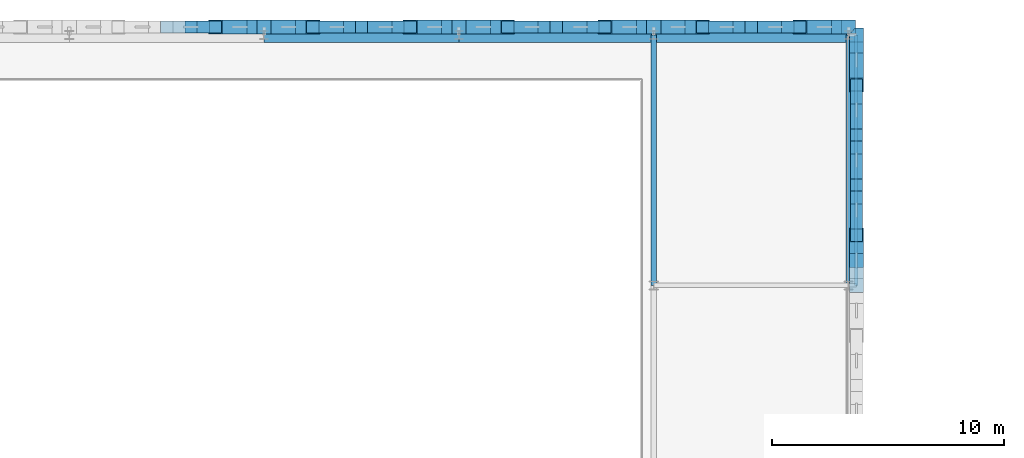
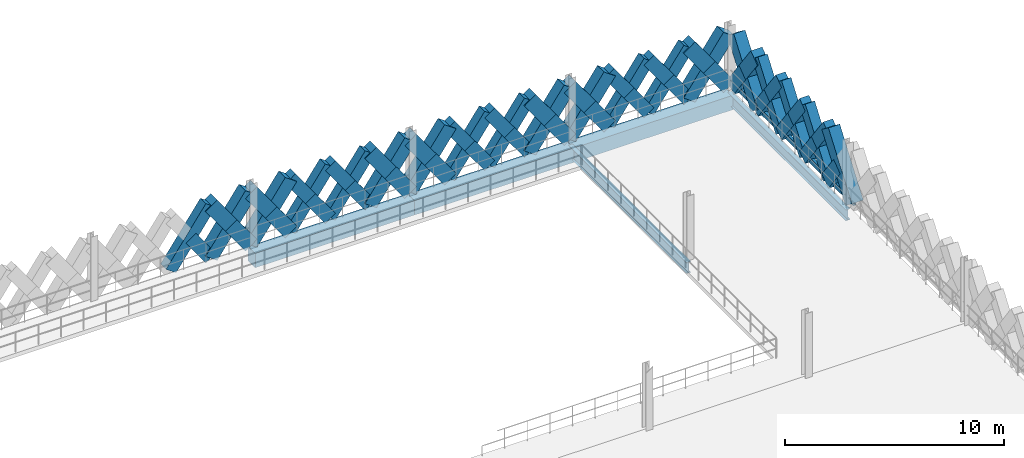
# One storey, part 31 of 74: 56 members, 5 beams.
"""IFC4 building model written with IfcOpenShell, lengths in metres."""

import ifcopenshell
import ifcopenshell.guid

model = None  # the IFC model being written
_history = None  # IfcOwnerHistory: only IFC2X3 demands one
_inside = {}  # id of a spatial element -> (the spatial element, [elements in it])
_under = {}  # id of a project, library or spatial element -> (it, [spatial elements below it])
_declared = {}  # id of a project -> (the project, [libraries it declares])
_typed = {}  # id of a type object -> (the type object, [elements of that type])
_made_of = {}  # id of a material, layer set ... -> (it, [elements and type objects made of it])


def new_model(schema):
    """Start an empty IFC model of exactly this schema.

    Asked for "IFC4X3", IfcOpenShell would pick the latest addendum, in which some entities
    have other attributes; the version numbers below select the first issue.
    IFC2X3 requires an IfcOwnerHistory on every rooted entity: one is made here for all.
    """
    global model, _history
    if schema == "IFC4X3":
        model = ifcopenshell.file(schema_version=(4, 3, 0, 0))
    else:
        model = ifcopenshell.file(schema=schema)
    _inside.clear()
    _under.clear()
    _declared.clear()
    _typed.clear()
    _made_of.clear()
    _history = None
    if model.schema == "IFC2X3":
        org = make("IfcOrganization", Name="unknown")
        user = make(
            "IfcPersonAndOrganization",
            ThePerson=make("IfcPerson", FamilyName="unknown"),
            TheOrganization=org,
        )
        app = make(
            "IfcApplication",
            ApplicationDeveloper=org,
            Version="unknown",
            ApplicationFullName="unknown",
            ApplicationIdentifier="unknown",
        )
        _history = make(
            "IfcOwnerHistory",
            OwningUser=user,
            OwningApplication=app,
            ChangeAction="ADDED",
            CreationDate=0,
        )
    return model


def make(cls, **values):
    """One entity of the class cls with the attributes given. An attribute that is None is left unset."""
    return model.create_entity(
        cls, **{name: value for name, value in values.items() if value is not None}
    )


def rooted(cls, **values):
    """An entity with a GlobalId (a new one), such as an element, a storey or a relation."""
    return make(cls, GlobalId=ifcopenshell.guid.new(), OwnerHistory=_history, **values)


def si_unit(unit_type, name, prefix=None):
    """IfcSIUnit, for example si_unit("LENGTHUNIT", "METRE", prefix="MILLI")."""
    return make("IfcSIUnit", UnitType=unit_type, Prefix=prefix, Name=name)


def assignment(units):
    """IfcUnitAssignment: the units of a project."""
    return None if units is None else make("IfcUnitAssignment", Units=units)


def point(xyz):
    """IfcCartesianPoint."""
    return None if xyz is None else make("IfcCartesianPoint", Coordinates=xyz)


def direction(xyz):
    """IfcDirection."""
    return None if xyz is None else make("IfcDirection", DirectionRatios=xyz)


def frame(location, z_axis=None, x_axis=None):
    """IfcAxis2Placement3D, a coordinate frame: its origin and axes. An axis left out is left unset."""
    return make(
        "IfcAxis2Placement3D",
        Location=point(location),
        Axis=direction(z_axis),
        RefDirection=direction(x_axis),
    )


def frame_2d(location, x_axis=None):
    """IfcAxis2Placement2D, a coordinate frame in the plane: its origin and x axis."""
    return make(
        "IfcAxis2Placement2D", Location=point(location), RefDirection=direction(x_axis)
    )


def origin():
    """The frame at (0, 0, 0) with its axes left unset."""
    return frame((0.0, 0.0, 0.0))


def origin_2d():
    """The frame at (0, 0) in the plane with its x axis left unset."""
    return frame_2d((0.0, 0.0))


def place(relative_to, where):
    """IfcLocalPlacement: puts the frame where relative to a parent placement (None: the world)."""
    return make(
        "IfcLocalPlacement", PlacementRelTo=relative_to, RelativePlacement=where
    )


def context(
    kind, dimensions, precision=None, world=None, true_north=None, identifier=None
):
    """IfcGeometricRepresentationContext, for example the 3D "Model" context."""
    return make(
        "IfcGeometricRepresentationContext",
        ContextIdentifier=identifier,
        ContextType=kind,
        CoordinateSpaceDimension=dimensions,
        Precision=precision,
        WorldCoordinateSystem=world,
        TrueNorth=true_north,
    )


def subcontext(parent, identifier, kind, view, scale=None):
    """IfcGeometricRepresentationSubContext, for example "Body" below "Model"."""
    return make(
        "IfcGeometricRepresentationSubContext",
        ContextIdentifier=identifier,
        ContextType=kind,
        ParentContext=parent,
        TargetScale=scale,
        TargetView=view,
    )


def project(units=None, contexts=None):
    """IfcProject with its units and contexts."""
    return rooted(
        "IfcProject",
        Name="project",
        RepresentationContexts=contexts,
        UnitsInContext=assignment(units),
    )


def spatial(cls, under=None, at=None, **own):
    """A site, building, storey or space (cls), placed at a placement, below another one or the project."""
    s = rooted(cls, ObjectPlacement=at, **own)
    if under is not None:
        _under.setdefault(under.id(), (under, []))[1].append(s)
    return s


def profile(cls, at=None, kind="AREA", **sizes):
    """A parametric profile (cls). Its sizes go by their IFC names, for example OverallWidth=200.0."""
    return make(cls, ProfileType=kind, Position=at, **sizes)


def rectangle(**sizes):
    """IfcRectangleProfileDef."""
    return profile("IfcRectangleProfileDef", **sizes)


def hollow_rectangle(**sizes):
    """IfcRectangleHollowProfileDef."""
    return profile("IfcRectangleHollowProfileDef", **sizes)


def i_section(**sizes):
    """IfcIShapeProfileDef."""
    return profile("IfcIShapeProfileDef", **sizes)


def extrude(swept, where, along, depth):
    """IfcExtrudedAreaSolid: the profile swept, set in the frame where, extruded along a direction by depth."""
    return make(
        "IfcExtrudedAreaSolid",
        SweptArea=swept,
        Position=where,
        ExtrudedDirection=direction(along),
        Depth=depth,
    )


def shape(context_of_items, identifier, shape_type, items):
    """IfcShapeRepresentation: the items that make up one representation, for example the "Body"."""
    return make(
        "IfcShapeRepresentation",
        ContextOfItems=context_of_items,
        RepresentationIdentifier=identifier,
        RepresentationType=shape_type,
        Items=items,
    )


def material(Name=None, Category=None):
    """IfcMaterial."""
    return make("IfcMaterial", Name=Name, Category=Category)


def material_profile(
    of_material, cross_section, Name=None, Category=None, Priority=None
):
    """IfcMaterialProfile: a cross section and its material."""
    return make(
        "IfcMaterialProfile",
        Name=Name,
        Material=of_material,
        Profile=cross_section,
        Priority=Priority,
        Category=Category,
    )


def profile_set(profiles, Name=None, composite=None):
    """IfcMaterialProfileSet."""
    return make(
        "IfcMaterialProfileSet",
        Name=Name,
        MaterialProfiles=profiles,
        CompositeProfile=composite,
    )


def made_of(thing, what):
    """Note that an element or type object is made of a material, layer set ...; save() writes the relation."""
    if what is not None:
        _made_of.setdefault(what.id(), (what, []))[1].append(thing)
    return thing


def type_object(cls, material=None, **own):
    """A type object (cls), such as IfcWallType, which elements share."""
    return made_of(rooted(cls, **own), material)


def element(
    cls,
    number,
    at=None,
    inside=None,
    cuts=None,
    type_object=None,
    material=None,
    context=None,
    identifier="Body",
    shape_type=None,
    held_by="IfcProductDefinitionShape",
    body=None,
    shapes=None,
    **own,
):
    """One element of the class cls, such as IfcWall. Its Tag is "e" and its number.

    at: its placement. inside: the storey or other place that contains it. cuts: it is an
    opening in that element (IfcRelVoidsElement). A single representation is given by context,
    identifier, shape_type and body (its items); several are given by shapes. held_by: the class
    of the entity that holds the representations. save() writes the other relations.
    """
    e = rooted(cls, Tag="e%d" % number, ObjectPlacement=at, **own)
    if body is not None:
        shapes = [shape(context, identifier, shape_type, body)]
    if shapes is not None:
        e.Representation = make(held_by, Representations=shapes)
    if inside is not None:
        _inside.setdefault(inside.id(), (inside, []))[1].append(e)
    if cuts is not None:
        rooted(
            "IfcRelVoidsElement", RelatingBuildingElement=cuts, RelatedOpeningElement=e
        )
    if type_object is not None:
        _typed.setdefault(type_object.id(), (type_object, []))[1].append(e)
    return made_of(e, material)


def aggregate(whole, parts):
    """IfcRelAggregates: a whole, such as a stair, and the parts it consists of."""
    return rooted("IfcRelAggregates", RelatingObject=whole, RelatedObjects=parts)


def save(model, path):
    """Write the relations noted so far, then the file.

    IfcRelAggregates (storeys below a building ...), IfcRelContainedInSpatialStructure (elements
    in a storey), IfcRelDefinesByType, IfcRelAssociatesMaterial and IfcRelDeclares: one each for
    every whole, place, type object, material and project.
    """
    for whole, parts in _under.values():
        aggregate(whole, parts)
    for where, things in _inside.values():
        rooted(
            "IfcRelContainedInSpatialStructure",
            RelatedElements=things,
            RelatingStructure=where,
        )
    for kind, things in _typed.values():
        rooted("IfcRelDefinesByType", RelatedObjects=things, RelatingType=kind)
    for what, things in _made_of.values():
        rooted("IfcRelAssociatesMaterial", RelatedObjects=things, RelatingMaterial=what)
    for by, libraries in _declared.values():
        rooted("IfcRelDeclares", RelatingContext=by, RelatedDefinitions=libraries)
    model.write(path)


model = new_model("IFC4")

# Units and contexts
model_context = context("Model", 3, precision=1e-05, world=origin(), true_north=direction((0.0, 1.0)))
body_context = subcontext(model_context, "Body", "Model", "MODEL_VIEW")
ifc_project = project(units=[si_unit("LENGTHUNIT", "METRE"), si_unit("AREAUNIT", "SQUARE_METRE"), si_unit("VOLUMEUNIT", "CUBIC_METRE"), si_unit("PLANEANGLEUNIT", "RADIAN"), si_unit("MASSUNIT", "GRAM", prefix="KILO"), si_unit("THERMODYNAMICTEMPERATUREUNIT", "KELVIN"), si_unit("POWERUNIT", "WATT")], contexts=[model_context])

# Site, building, storey
site_placement = place(None, origin())
site = spatial("IfcSite", under=ifc_project, at=site_placement, CompositionType="ELEMENT")
building_placement = place(site_placement, origin())
building = spatial("IfcBuilding", under=site, at=building_placement, Name="Tembeka Court Mobility Hub", CompositionType="ELEMENT")
storey_placement = place(building_placement, frame((0.0, 0.0, 12.60009765625)))
storey = spatial("IfcBuildingStorey", under=building, at=storey_placement, Name="L03", CompositionType="ELEMENT", Elevation=12.60009765625)

# Beams
ifc_material_1 = material(Name="Steel S355", Category="steel")
ifc_material_profile_1 = material_profile(ifc_material_1, i_section(OverallWidth=0.22900390625, OverallDepth=0.612060546875, WebThickness=0.011962890625, FlangeThickness=0.01953125, FilletRadius=0.0126953125, at=origin_2d()), Name="UKB 610x229x125")
ifc_profile_set_1 = profile_set([ifc_material_profile_1], Name="Steel S355")
beam_type_1 = type_object("IfcBeamType", Name="BM-G02", PredefinedType="USERDEFINED", material=ifc_profile_set_1)
for number, where, z_axis, x_axis, name in (
    (1, (84.0, 108.0, -0.526123046875), (0.0, 1.0, 0.0), (-1.0, 0.0, 0.0), "Beam G02 (BM-L03-Y1909)"),
    (2, (92.39990234375, 108.0, -0.526123046875), (0.0, 1.0, 0.0), (-1.0, 0.0, 0.0), "Beam G02 (BM-L03-Y1920)"),
):
    element("IfcBeam", number, at=place(storey_placement, frame(where, z_axis=z_axis, x_axis=x_axis)), inside=storey, type_object=beam_type_1, Name=name, ObjectType="GIRDER", PredefinedType="USERDEFINED", context=body_context, shape_type="SweptSolid", body=[
        extrude(i_section(OverallWidth=0.22900390625, OverallDepth=0.612060546875, WebThickness=0.011962890625, FlangeThickness=0.01953125, FilletRadius=0.0126953125, at=origin_2d()), origin(), (0.0, 0.0, 1.0), 10.800048828125),
    ])
ifc_material_2 = material(Name="Precast concrete C45/55", Category="concrete")
ifc_material_profile_2 = material_profile(ifc_material_2, rectangle(XDim=0.64990234375, YDim=0.800048828125, at=origin_2d()), Name="PC-SP 650x800")
ifc_profile_set_2 = profile_set([ifc_material_profile_2], Name="Precast concrete C45/55")
beam_type_2 = type_object("IfcBeamType", Name="BM-SP01", PredefinedType="SPANDREL", material=ifc_profile_set_2)
beam_placement = place(storey_placement, frame((67.199951171875, 118.800048828125, -0.6201171875), z_axis=(1.0, 0.0, 0.0), x_axis=(0.0, 1.0, 0.0)))
element("IfcBeam", 3, at=beam_placement, inside=storey, type_object=beam_type_2, Name="Beam SP01 (BM-L03-X1813)", PredefinedType="SPANDREL", context=body_context, shape_type="SweptSolid", body=[
    extrude(rectangle(XDim=0.64990234375, YDim=0.800048828125, at=origin_2d()), origin(), (0.0, 0.0, 1.0), 8.400146484375),
])
for number, where, z_axis, x_axis, name in (
    (4, (75.60009765625, 118.800048828125, -0.6201171875), (1.0, 0.0, 0.0), (0.0, 1.0, 0.0), "Beam SP01 (BM-L03-X1814)"),
    (5, (84.0, 118.800048828125, -0.6201171875), (1.0, 0.0, 0.0), (0.0, 1.0, 0.0), "Beam SP01 (BM-L03-X1815)"),
):
    element("IfcBeam", number, at=place(storey_placement, frame(where, z_axis=z_axis, x_axis=x_axis)), inside=storey, type_object=beam_type_2, Name=name, PredefinedType="SPANDREL", context=body_context, shape_type="SweptSolid", body=[
        extrude(rectangle(XDim=0.64990234375, YDim=0.800048828125, at=origin_2d()), origin(), (0.0, 0.0, 1.0), 8.39990234375),
    ])

# Members
ifc_material_profile_3 = material_profile(ifc_material_2, rectangle(XDim=0.5, YDim=0.64990234375, at=origin_2d()), Name="PC-DIAG 500x650")
ifc_profile_set_3 = profile_set([ifc_material_profile_3], Name="Precast concrete C45/55")
member_type_1 = type_object("IfcMemberType", Name="MEM-DL01", PredefinedType="BRACE", material=ifc_profile_set_3)
member_1_placement = place(storey_placement, frame((63.0, 119.139892578125, 0.02001953125), z_axis=(0.582576362011, 0.0, 0.812775973086), x_axis=(0.0, 1.0, 0.0)))
element("IfcMember", 6, at=member_1_placement, inside=storey, type_object=member_type_1, Name="Precast diamond lattice continuous strand DL01 (L03-463A)", PredefinedType="BRACE", context=body_context, shape_type="SweptSolid", body=[
    extrude(rectangle(XDim=0.5, YDim=0.64990234375, at=origin_2d()), origin(), (0.0, 0.0, 1.0), 3.604736328125),
])
member_2_placement = place(storey_placement, frame((65.10009765625, 119.139892578125, 0.02001953125), z_axis=(-0.582608431711, 0.0, 0.812752985414), x_axis=(0.0, -1.0, 0.0)))
element("IfcMember", 7, at=member_2_placement, inside=storey, type_object=member_type_1, Name="Precast diamond lattice split lower strand DL01 (L03-463B1)", PredefinedType="BRACE", context=body_context, shape_type="SweptSolid", body=[
    extrude(rectangle(XDim=0.5, YDim=0.64990234375, at=origin_2d()), origin(), (0.0, 0.0, 1.0), 1.80224609375),
])
member_3_placement = place(storey_placement, frame((69.300048828125, 119.139892578125, 0.02001953125), z_axis=(0.58253161945, 0.0, 0.812808041509), x_axis=(0.0, 1.0, 0.0)))
element("IfcMember", 8, at=member_3_placement, inside=storey, type_object=member_type_1, Name="Precast diamond lattice continuous strand DL01 (L03-466A)", PredefinedType="BRACE", context=body_context, shape_type="SweptSolid", body=[
    extrude(rectangle(XDim=0.5, YDim=0.64990234375, at=origin_2d()), origin(), (0.0, 0.0, 1.0), 3.604736328125),
])
member_4_placement = place(storey_placement, frame((71.39990234375, 119.139892578125, 0.02001953125), z_axis=(-0.582518941428, 0.0, 0.812817127574), x_axis=(0.0, -1.0, 0.0)))
element("IfcMember", 9, at=member_4_placement, inside=storey, type_object=member_type_1, Name="Precast diamond lattice split lower strand DL01 (L03-466B1)", PredefinedType="BRACE", context=body_context, shape_type="SweptSolid", body=[
    extrude(rectangle(XDim=0.5, YDim=0.64990234375, at=origin_2d()), origin(), (0.0, 0.0, 1.0), 1.80224609375),
])
member_5_placement = place(storey_placement, frame((70.35009765625, 119.139892578125, 1.48486328125), z_axis=(-0.582544294934, 0.0, 0.812798956963), x_axis=(0.0, -1.0, 0.0)))
element("IfcMember", 10, at=member_5_placement, inside=storey, type_object=member_type_1, Name="Precast diamond lattice split upper strand DL01 (L03-466B2)", PredefinedType="BRACE", context=body_context, shape_type="SweptSolid", body=[
    extrude(rectangle(XDim=0.5, YDim=0.64990234375, at=origin_2d()), origin(), (0.0, 0.0, 1.0), 1.802490234375),
])
member_6_placement = place(storey_placement, frame((71.39990234375, 119.139892578125, 0.02001953125), z_axis=(0.582576362011, 0.0, 0.812775973086), x_axis=(0.0, 1.0, 0.0)))
element("IfcMember", 11, at=member_6_placement, inside=storey, type_object=member_type_1, Name="Precast diamond lattice continuous strand DL01 (L03-467A)", PredefinedType="BRACE", context=body_context, shape_type="SweptSolid", body=[
    extrude(rectangle(XDim=0.5, YDim=0.64990234375, at=origin_2d()), origin(), (0.0, 0.0, 1.0), 3.604736328125),
])
member_7_placement = place(storey_placement, frame((73.5, 119.139892578125, 0.02001953125), z_axis=(-0.582608431711, 0.0, 0.812752985414), x_axis=(0.0, -1.0, 0.0)))
element("IfcMember", 12, at=member_7_placement, inside=storey, type_object=member_type_1, Name="Precast diamond lattice split lower strand DL01 (L03-467B1)", PredefinedType="BRACE", context=body_context, shape_type="SweptSolid", body=[
    extrude(rectangle(XDim=0.5, YDim=0.64990234375, at=origin_2d()), origin(), (0.0, 0.0, 1.0), 1.80224609375),
])
member_8_placement = place(storey_placement, frame((72.449951171875, 119.139892578125, 1.48486328125), z_axis=(-0.582544294934, 0.0, 0.812798956963), x_axis=(0.0, -1.0, 0.0)))
element("IfcMember", 13, at=member_8_placement, inside=storey, type_object=member_type_1, Name="Precast diamond lattice split upper strand DL01 (L03-467B2)", PredefinedType="BRACE", context=body_context, shape_type="SweptSolid", body=[
    extrude(rectangle(XDim=0.5, YDim=0.64990234375, at=origin_2d()), origin(), (0.0, 0.0, 1.0), 1.802490234375),
])
member_9_placement = place(storey_placement, frame((77.699951171875, 119.139892578125, 0.02001953125), z_axis=(0.582576362011, 0.0, 0.812775973086), x_axis=(0.0, 1.0, 0.0)))
element("IfcMember", 14, at=member_9_placement, inside=storey, type_object=member_type_1, Name="Precast diamond lattice continuous strand DL01 (L03-470A)", PredefinedType="BRACE", context=body_context, shape_type="SweptSolid", body=[
    extrude(rectangle(XDim=0.5, YDim=0.64990234375, at=origin_2d()), origin(), (0.0, 0.0, 1.0), 3.604736328125),
])
member_10_placement = place(storey_placement, frame((79.800048828125, 119.139892578125, 0.02001953125), z_axis=(-0.582608431711, 0.0, 0.812752985414), x_axis=(0.0, -1.0, 0.0)))
element("IfcMember", 15, at=member_10_placement, inside=storey, type_object=member_type_1, Name="Precast diamond lattice split lower strand DL01 (L03-470B1)", PredefinedType="BRACE", context=body_context, shape_type="SweptSolid", body=[
    extrude(rectangle(XDim=0.5, YDim=0.64990234375, at=origin_2d()), origin(), (0.0, 0.0, 1.0), 1.80224609375),
])
member_11_placement = place(storey_placement, frame((78.75, 119.139892578125, 1.48486328125), z_axis=(-0.582544294934, 0.0, 0.812798956963), x_axis=(0.0, -1.0, 0.0)))
element("IfcMember", 16, at=member_11_placement, inside=storey, type_object=member_type_1, Name="Precast diamond lattice split upper strand DL01 (L03-470B2)", PredefinedType="BRACE", context=body_context, shape_type="SweptSolid", body=[
    extrude(rectangle(XDim=0.5, YDim=0.64990234375, at=origin_2d()), origin(), (0.0, 0.0, 1.0), 1.802490234375),
])
member_12_placement = place(storey_placement, frame((79.800048828125, 119.139892578125, 0.02001953125), z_axis=(0.58253161945, 0.0, 0.812808041509), x_axis=(0.0, 1.0, 0.0)))
element("IfcMember", 17, at=member_12_placement, inside=storey, type_object=member_type_1, Name="Precast diamond lattice continuous strand DL01 (L03-471A)", PredefinedType="BRACE", context=body_context, shape_type="SweptSolid", body=[
    extrude(rectangle(XDim=0.5, YDim=0.64990234375, at=origin_2d()), origin(), (0.0, 0.0, 1.0), 3.604736328125),
])
member_13_placement = place(storey_placement, frame((81.89990234375, 119.139892578125, 0.02001953125), z_axis=(-0.582518941428, 0.0, 0.812817127574), x_axis=(0.0, -1.0, 0.0)))
element("IfcMember", 18, at=member_13_placement, inside=storey, type_object=member_type_1, Name="Precast diamond lattice split lower strand DL01 (L03-471B1)", PredefinedType="BRACE", context=body_context, shape_type="SweptSolid", body=[
    extrude(rectangle(XDim=0.5, YDim=0.64990234375, at=origin_2d()), origin(), (0.0, 0.0, 1.0), 1.80224609375),
])
member_14_placement = place(storey_placement, frame((80.85009765625, 119.139892578125, 1.48486328125), z_axis=(-0.582544294934, 0.0, 0.812798956963), x_axis=(0.0, -1.0, 0.0)))
element("IfcMember", 19, at=member_14_placement, inside=storey, type_object=member_type_1, Name="Precast diamond lattice split upper strand DL01 (L03-471B2)", PredefinedType="BRACE", context=body_context, shape_type="SweptSolid", body=[
    extrude(rectangle(XDim=0.5, YDim=0.64990234375, at=origin_2d()), origin(), (0.0, 0.0, 1.0), 1.802490234375),
])
member_15_placement = place(storey_placement, frame((86.10009765625, 119.139892578125, 0.02001953125), z_axis=(0.58253161945, 0.0, 0.812808041509), x_axis=(0.0, 1.0, 0.0)))
element("IfcMember", 20, at=member_15_placement, inside=storey, type_object=member_type_1, Name="Precast diamond lattice continuous strand DL01 (L03-474A)", PredefinedType="BRACE", context=body_context, shape_type="SweptSolid", body=[
    extrude(rectangle(XDim=0.5, YDim=0.64990234375, at=origin_2d()), origin(), (0.0, 0.0, 1.0), 3.604736328125),
])
member_16_placement = place(storey_placement, frame((88.199951171875, 119.139892578125, 0.02001953125), z_axis=(-0.582608431711, 0.0, 0.812752985414), x_axis=(0.0, -1.0, 0.0)))
element("IfcMember", 21, at=member_16_placement, inside=storey, type_object=member_type_1, Name="Precast diamond lattice split lower strand DL01 (L03-474B1)", PredefinedType="BRACE", context=body_context, shape_type="SweptSolid", body=[
    extrude(rectangle(XDim=0.5, YDim=0.64990234375, at=origin_2d()), origin(), (0.0, 0.0, 1.0), 1.80224609375),
])
member_17_placement = place(storey_placement, frame((87.14990234375, 119.139892578125, 1.48486328125), z_axis=(-0.582454804382, 0.0, 0.812863088627), x_axis=(0.0, -1.0, 0.0)))
element("IfcMember", 22, at=member_17_placement, inside=storey, type_object=member_type_1, Name="Precast diamond lattice split upper strand DL01 (L03-474B2)", PredefinedType="BRACE", context=body_context, shape_type="SweptSolid", body=[
    extrude(rectangle(XDim=0.5, YDim=0.64990234375, at=origin_2d()), origin(), (0.0, 0.0, 1.0), 1.802490234375),
])
member_18_placement = place(storey_placement, frame((88.199951171875, 119.139892578125, 0.02001953125), z_axis=(0.582576362011, 0.0, 0.812775973086), x_axis=(0.0, 1.0, 0.0)))
element("IfcMember", 23, at=member_18_placement, inside=storey, type_object=member_type_1, Name="Precast diamond lattice continuous strand DL01 (L03-475A)", PredefinedType="BRACE", context=body_context, shape_type="SweptSolid", body=[
    extrude(rectangle(XDim=0.5, YDim=0.64990234375, at=origin_2d()), origin(), (0.0, 0.0, 1.0), 3.604736328125),
])
member_19_placement = place(storey_placement, frame((90.300048828125, 119.139892578125, 0.02001953125), z_axis=(-0.582608431711, 0.0, 0.812752985414), x_axis=(0.0, -1.0, 0.0)))
element("IfcMember", 24, at=member_19_placement, inside=storey, type_object=member_type_1, Name="Precast diamond lattice split lower strand DL01 (L03-475B1)", PredefinedType="BRACE", context=body_context, shape_type="SweptSolid", body=[
    extrude(rectangle(XDim=0.5, YDim=0.64990234375, at=origin_2d()), origin(), (0.0, 0.0, 1.0), 1.80224609375),
])
member_20_placement = place(storey_placement, frame((89.25, 119.139892578125, 1.48486328125), z_axis=(-0.582544294934, 0.0, 0.812798956963), x_axis=(0.0, -1.0, 0.0)))
element("IfcMember", 25, at=member_20_placement, inside=storey, type_object=member_type_1, Name="Precast diamond lattice split upper strand DL01 (L03-475B2)", PredefinedType="BRACE", context=body_context, shape_type="SweptSolid", body=[
    extrude(rectangle(XDim=0.5, YDim=0.64990234375, at=origin_2d()), origin(), (0.0, 0.0, 1.0), 1.802490234375),
])
member_21_placement = place(storey_placement, frame((92.739990234375, 110.159912109375, 0.02001953125), z_axis=(0.0, 0.593423219328, 0.804890602978), x_axis=(-1.0, 0.0, 0.0)))
element("IfcMember", 26, at=member_21_placement, inside=storey, type_object=member_type_1, Name="Precast diamond lattice continuous strand DL01 (L03-585C)", PredefinedType="BRACE", context=body_context, shape_type="SweptSolid", body=[
    extrude(rectangle(XDim=0.5, YDim=0.64990234375, at=origin_2d()), origin(), (0.0, 0.0, 1.0), 3.64013671875),
])
for number, where, z_axis, x_axis, name in (
    (27, (92.739990234375, 112.320068359375, 0.02001953125), (0.0, -0.593455255298, 0.804866982773), (1.0, 0.0, 0.0), "Precast diamond lattice split lower strand DL01 (L03-585D1)"),
    (28, (92.739990234375, 111.239990234375, 1.48486328125), (0.0, -0.593391185876, 0.804914219358), (1.0, 0.0, 0.0), "Precast diamond lattice split upper strand DL01 (L03-585D2)"),
):
    element("IfcMember", number, at=place(storey_placement, frame(where, z_axis=z_axis, x_axis=x_axis)), inside=storey, type_object=member_type_1, Name=name, PredefinedType="BRACE", context=body_context, shape_type="SweptSolid", body=[
        extrude(rectangle(XDim=0.5, YDim=0.64990234375, at=origin_2d()), origin(), (0.0, 0.0, 1.0), 1.820068359375),
    ])
member_22_placement = place(storey_placement, frame((92.739990234375, 112.320068359375, 0.02001953125), z_axis=(0.0, 0.593379766398, 0.804922637792), x_axis=(-1.0, 0.0, 0.0)))
element("IfcMember", 29, at=member_22_placement, inside=storey, type_object=member_type_1, Name="Precast diamond lattice continuous strand DL01 (L03-586C)", PredefinedType="BRACE", context=body_context, shape_type="SweptSolid", body=[
    extrude(rectangle(XDim=0.5, YDim=0.64990234375, at=origin_2d()), origin(), (0.0, 0.0, 1.0), 3.64013671875),
])
for number, where, z_axis, x_axis, name in (
    (30, (92.739990234375, 114.47998046875, 0.02001953125), (0.0, -0.593455255298, 0.804866982773), (1.0, 0.0, 0.0), "Precast diamond lattice split lower strand DL01 (L03-586D1)"),
    (31, (92.739990234375, 113.39990234375, 1.48486328125), (0.0, -0.593304274421, 0.804978284151), (1.0, 0.0, 0.0), "Precast diamond lattice split upper strand DL01 (L03-586D2)"),
):
    element("IfcMember", number, at=place(storey_placement, frame(where, z_axis=z_axis, x_axis=x_axis)), inside=storey, type_object=member_type_1, Name=name, PredefinedType="BRACE", context=body_context, shape_type="SweptSolid", body=[
        extrude(rectangle(XDim=0.5, YDim=0.64990234375, at=origin_2d()), origin(), (0.0, 0.0, 1.0), 1.820068359375),
    ])
member_23_placement = place(storey_placement, frame((92.739990234375, 114.47998046875, 0.02001953125), z_axis=(0.0, 0.593379766398, 0.804922637792), x_axis=(-1.0, 0.0, 0.0)))
element("IfcMember", 32, at=member_23_placement, inside=storey, type_object=member_type_1, Name="Precast diamond lattice continuous strand DL01 (L03-587C)", PredefinedType="BRACE", context=body_context, shape_type="SweptSolid", body=[
    extrude(rectangle(XDim=0.5, YDim=0.64990234375, at=origin_2d()), origin(), (0.0, 0.0, 1.0), 3.64013671875),
])
member_24_placement = place(storey_placement, frame((92.739990234375, 116.639892578125, 0.02001953125), z_axis=(0.0, -0.593368344659, 0.804931057642), x_axis=(1.0, 0.0, 0.0)))
element("IfcMember", 33, at=member_24_placement, inside=storey, type_object=member_type_1, Name="Precast diamond lattice split lower strand DL01 (L03-587D1)", PredefinedType="BRACE", context=body_context, shape_type="SweptSolid", body=[
    extrude(rectangle(XDim=0.5, YDim=0.64990234375, at=origin_2d()), origin(), (0.0, 0.0, 1.0), 1.81982421875),
])
member_25_placement = place(storey_placement, frame((92.739990234375, 115.56005859375, 1.48486328125), z_axis=(0.0, -0.593391185876, 0.804914219358), x_axis=(1.0, 0.0, 0.0)))
element("IfcMember", 34, at=member_25_placement, inside=storey, type_object=member_type_1, Name="Precast diamond lattice split upper strand DL01 (L03-587D2)", PredefinedType="BRACE", context=body_context, shape_type="SweptSolid", body=[
    extrude(rectangle(XDim=0.5, YDim=0.64990234375, at=origin_2d()), origin(), (0.0, 0.0, 1.0), 1.820068359375),
])
ifc_material_profile_4 = material_profile(ifc_material_2, rectangle(XDim=0.60009765625, YDim=0.75, at=origin_2d()), Name="PC-DIAG 600x750")
ifc_profile_set_4 = profile_set([ifc_material_profile_4], Name="Precast concrete C45/55")
member_type_2 = type_object("IfcMemberType", Name="MEM-DL02", PredefinedType="BRACE", material=ifc_profile_set_4)
member_26_placement = place(storey_placement, frame((65.10009765625, 119.139892578125, 0.02001953125), z_axis=(0.58253161945, 0.0, 0.812808041509), x_axis=(0.0, 1.0, 0.0)))
element("IfcMember", 35, at=member_26_placement, inside=storey, type_object=member_type_2, Name="Precast diamond lattice continuous strand DL02 (L03-464A)", PredefinedType="BRACE", context=body_context, shape_type="SweptSolid", body=[
    extrude(rectangle(XDim=0.60009765625, YDim=0.75, at=origin_2d()), origin(), (0.0, 0.0, 1.0), 3.604736328125),
])
member_27_placement = place(storey_placement, frame((67.199951171875, 119.139892578125, 0.02001953125), z_axis=(-0.582608431711, 0.0, 0.812752985414), x_axis=(0.0, -1.0, 0.0)))
element("IfcMember", 36, at=member_27_placement, inside=storey, type_object=member_type_2, Name="Precast diamond lattice split lower strand DL02 (L03-464B1)", PredefinedType="BRACE", context=body_context, shape_type="SweptSolid", body=[
    extrude(rectangle(XDim=0.60009765625, YDim=0.75, at=origin_2d()), origin(), (0.0, 0.0, 1.0), 1.80224609375),
])
member_28_placement = place(storey_placement, frame((66.14990234375, 119.139892578125, 1.48486328125), z_axis=(-0.582454804382, 0.0, 0.812863088627), x_axis=(0.0, -1.0, 0.0)))
element("IfcMember", 37, at=member_28_placement, inside=storey, type_object=member_type_2, Name="Precast diamond lattice split upper strand DL02 (L03-464B2)", PredefinedType="BRACE", context=body_context, shape_type="SweptSolid", body=[
    extrude(rectangle(XDim=0.60009765625, YDim=0.75, at=origin_2d()), origin(), (0.0, 0.0, 1.0), 1.802490234375),
])
member_29_placement = place(storey_placement, frame((67.199951171875, 119.139892578125, 0.02001953125), z_axis=(0.582576362011, 0.0, 0.812775973086), x_axis=(0.0, 1.0, 0.0)))
element("IfcMember", 38, at=member_29_placement, inside=storey, type_object=member_type_2, Name="Precast diamond lattice continuous strand DL02 (L03-465A)", PredefinedType="BRACE", context=body_context, shape_type="SweptSolid", body=[
    extrude(rectangle(XDim=0.60009765625, YDim=0.75, at=origin_2d()), origin(), (0.0, 0.0, 1.0), 3.604736328125),
])
member_30_placement = place(storey_placement, frame((69.300048828125, 119.139892578125, 0.02001953125), z_axis=(-0.582608431711, 0.0, 0.812752985414), x_axis=(0.0, -1.0, 0.0)))
element("IfcMember", 39, at=member_30_placement, inside=storey, type_object=member_type_2, Name="Precast diamond lattice split lower strand DL02 (L03-465B1)", PredefinedType="BRACE", context=body_context, shape_type="SweptSolid", body=[
    extrude(rectangle(XDim=0.60009765625, YDim=0.75, at=origin_2d()), origin(), (0.0, 0.0, 1.0), 1.80224609375),
])
member_31_placement = place(storey_placement, frame((68.25, 119.139892578125, 1.48486328125), z_axis=(-0.582544294934, 0.0, 0.812798956963), x_axis=(0.0, -1.0, 0.0)))
element("IfcMember", 40, at=member_31_placement, inside=storey, type_object=member_type_2, Name="Precast diamond lattice split upper strand DL02 (L03-465B2)", PredefinedType="BRACE", context=body_context, shape_type="SweptSolid", body=[
    extrude(rectangle(XDim=0.60009765625, YDim=0.75, at=origin_2d()), origin(), (0.0, 0.0, 1.0), 1.802490234375),
])
member_32_placement = place(storey_placement, frame((73.5, 119.139892578125, 0.02001953125), z_axis=(0.582576362011, 0.0, 0.812775973086), x_axis=(0.0, 1.0, 0.0)))
element("IfcMember", 41, at=member_32_placement, inside=storey, type_object=member_type_2, Name="Precast diamond lattice continuous strand DL02 (L03-468A)", PredefinedType="BRACE", context=body_context, shape_type="SweptSolid", body=[
    extrude(rectangle(XDim=0.60009765625, YDim=0.75, at=origin_2d()), origin(), (0.0, 0.0, 1.0), 3.604736328125),
])
member_33_placement = place(storey_placement, frame((75.60009765625, 119.139892578125, 0.02001953125), z_axis=(-0.582608431711, 0.0, 0.812752985414), x_axis=(0.0, -1.0, 0.0)))
element("IfcMember", 42, at=member_33_placement, inside=storey, type_object=member_type_2, Name="Precast diamond lattice split lower strand DL02 (L03-468B1)", PredefinedType="BRACE", context=body_context, shape_type="SweptSolid", body=[
    extrude(rectangle(XDim=0.60009765625, YDim=0.75, at=origin_2d()), origin(), (0.0, 0.0, 1.0), 1.80224609375),
])
member_34_placement = place(storey_placement, frame((74.550048828125, 119.139892578125, 1.48486328125), z_axis=(-0.582544294934, 0.0, 0.812798956963), x_axis=(0.0, -1.0, 0.0)))
element("IfcMember", 43, at=member_34_placement, inside=storey, type_object=member_type_2, Name="Precast diamond lattice split upper strand DL02 (L03-468B2)", PredefinedType="BRACE", context=body_context, shape_type="SweptSolid", body=[
    extrude(rectangle(XDim=0.60009765625, YDim=0.75, at=origin_2d()), origin(), (0.0, 0.0, 1.0), 1.802490234375),
])
member_35_placement = place(storey_placement, frame((75.60009765625, 119.139892578125, 0.02001953125), z_axis=(0.58253161945, 0.0, 0.812808041509), x_axis=(0.0, 1.0, 0.0)))
element("IfcMember", 44, at=member_35_placement, inside=storey, type_object=member_type_2, Name="Precast diamond lattice continuous strand DL02 (L03-469A)", PredefinedType="BRACE", context=body_context, shape_type="SweptSolid", body=[
    extrude(rectangle(XDim=0.60009765625, YDim=0.75, at=origin_2d()), origin(), (0.0, 0.0, 1.0), 3.604736328125),
])
member_36_placement = place(storey_placement, frame((77.699951171875, 119.139892578125, 0.02001953125), z_axis=(-0.582608431711, 0.0, 0.812752985414), x_axis=(0.0, -1.0, 0.0)))
element("IfcMember", 45, at=member_36_placement, inside=storey, type_object=member_type_2, Name="Precast diamond lattice split lower strand DL02 (L03-469B1)", PredefinedType="BRACE", context=body_context, shape_type="SweptSolid", body=[
    extrude(rectangle(XDim=0.60009765625, YDim=0.75, at=origin_2d()), origin(), (0.0, 0.0, 1.0), 1.80224609375),
])
member_37_placement = place(storey_placement, frame((76.64990234375, 119.139892578125, 1.48486328125), z_axis=(-0.582454804382, 0.0, 0.812863088627), x_axis=(0.0, -1.0, 0.0)))
element("IfcMember", 46, at=member_37_placement, inside=storey, type_object=member_type_2, Name="Precast diamond lattice split upper strand DL02 (L03-469B2)", PredefinedType="BRACE", context=body_context, shape_type="SweptSolid", body=[
    extrude(rectangle(XDim=0.60009765625, YDim=0.75, at=origin_2d()), origin(), (0.0, 0.0, 1.0), 1.802490234375),
])
member_38_placement = place(storey_placement, frame((81.89990234375, 119.139892578125, 0.02001953125), z_axis=(0.582576362011, 0.0, 0.812775973086), x_axis=(0.0, 1.0, 0.0)))
element("IfcMember", 47, at=member_38_placement, inside=storey, type_object=member_type_2, Name="Precast diamond lattice continuous strand DL02 (L03-472A)", PredefinedType="BRACE", context=body_context, shape_type="SweptSolid", body=[
    extrude(rectangle(XDim=0.60009765625, YDim=0.75, at=origin_2d()), origin(), (0.0, 0.0, 1.0), 3.604736328125),
])
member_39_placement = place(storey_placement, frame((84.0, 119.139892578125, 0.02001953125), z_axis=(-0.582608431711, 0.0, 0.812752985414), x_axis=(0.0, -1.0, 0.0)))
element("IfcMember", 48, at=member_39_placement, inside=storey, type_object=member_type_2, Name="Precast diamond lattice split lower strand DL02 (L03-472B1)", PredefinedType="BRACE", context=body_context, shape_type="SweptSolid", body=[
    extrude(rectangle(XDim=0.60009765625, YDim=0.75, at=origin_2d()), origin(), (0.0, 0.0, 1.0), 1.80224609375),
])
member_40_placement = place(storey_placement, frame((82.949951171875, 119.139892578125, 1.48486328125), z_axis=(-0.582544294934, 0.0, 0.812798956963), x_axis=(0.0, -1.0, 0.0)))
element("IfcMember", 49, at=member_40_placement, inside=storey, type_object=member_type_2, Name="Precast diamond lattice split upper strand DL02 (L03-472B2)", PredefinedType="BRACE", context=body_context, shape_type="SweptSolid", body=[
    extrude(rectangle(XDim=0.60009765625, YDim=0.75, at=origin_2d()), origin(), (0.0, 0.0, 1.0), 1.802490234375),
])
member_41_placement = place(storey_placement, frame((84.0, 119.139892578125, 0.02001953125), z_axis=(0.582576362011, 0.0, 0.812775973086), x_axis=(0.0, 1.0, 0.0)))
element("IfcMember", 50, at=member_41_placement, inside=storey, type_object=member_type_2, Name="Precast diamond lattice continuous strand DL02 (L03-473A)", PredefinedType="BRACE", context=body_context, shape_type="SweptSolid", body=[
    extrude(rectangle(XDim=0.60009765625, YDim=0.75, at=origin_2d()), origin(), (0.0, 0.0, 1.0), 3.604736328125),
])
member_42_placement = place(storey_placement, frame((86.10009765625, 119.139892578125, 0.02001953125), z_axis=(-0.582608431711, 0.0, 0.812752985414), x_axis=(0.0, -1.0, 0.0)))
element("IfcMember", 51, at=member_42_placement, inside=storey, type_object=member_type_2, Name="Precast diamond lattice split lower strand DL02 (L03-473B1)", PredefinedType="BRACE", context=body_context, shape_type="SweptSolid", body=[
    extrude(rectangle(XDim=0.60009765625, YDim=0.75, at=origin_2d()), origin(), (0.0, 0.0, 1.0), 1.80224609375),
])
member_43_placement = place(storey_placement, frame((85.050048828125, 119.139892578125, 1.48486328125), z_axis=(-0.582544294934, 0.0, 0.812798956963), x_axis=(0.0, -1.0, 0.0)))
element("IfcMember", 52, at=member_43_placement, inside=storey, type_object=member_type_2, Name="Precast diamond lattice split upper strand DL02 (L03-473B2)", PredefinedType="BRACE", context=body_context, shape_type="SweptSolid", body=[
    extrude(rectangle(XDim=0.60009765625, YDim=0.75, at=origin_2d()), origin(), (0.0, 0.0, 1.0), 1.802490234375),
])
member_44_placement = place(storey_placement, frame((90.300048828125, 119.139892578125, 0.02001953125), z_axis=(0.58253161945, 0.0, 0.812808041509), x_axis=(0.0, 1.0, 0.0)))
element("IfcMember", 53, at=member_44_placement, inside=storey, type_object=member_type_2, Name="Precast diamond lattice continuous strand DL02 (L03-476A)", PredefinedType="BRACE", context=body_context, shape_type="SweptSolid", body=[
    extrude(rectangle(XDim=0.60009765625, YDim=0.75, at=origin_2d()), origin(), (0.0, 0.0, 1.0), 3.604736328125),
])
member_45_placement = place(storey_placement, frame((92.39990234375, 119.139892578125, 0.02001953125), z_axis=(-0.582518941428, 0.0, 0.812817127574), x_axis=(0.0, -1.0, 0.0)))
element("IfcMember", 54, at=member_45_placement, inside=storey, type_object=member_type_2, Name="Precast diamond lattice split lower strand DL02 (L03-476B1)", PredefinedType="BRACE", context=body_context, shape_type="SweptSolid", body=[
    extrude(rectangle(XDim=0.60009765625, YDim=0.75, at=origin_2d()), origin(), (0.0, 0.0, 1.0), 1.80224609375),
])
member_46_placement = place(storey_placement, frame((91.35009765625, 119.139892578125, 1.48486328125), z_axis=(-0.582544294934, 0.0, 0.812798956963), x_axis=(0.0, -1.0, 0.0)))
element("IfcMember", 55, at=member_46_placement, inside=storey, type_object=member_type_2, Name="Precast diamond lattice split upper strand DL02 (L03-476B2)", PredefinedType="BRACE", context=body_context, shape_type="SweptSolid", body=[
    extrude(rectangle(XDim=0.60009765625, YDim=0.75, at=origin_2d()), origin(), (0.0, 0.0, 1.0), 1.802490234375),
])
member_47_placement = place(storey_placement, frame((92.739990234375, 108.0, 0.02001953125), z_axis=(0.0, 0.593379766398, 0.804922637792), x_axis=(-1.0, 0.0, 0.0)))
element("IfcMember", 56, at=member_47_placement, inside=storey, type_object=member_type_2, Name="Precast diamond lattice continuous strand DL02 (L03-584C)", PredefinedType="BRACE", context=body_context, shape_type="SweptSolid", body=[
    extrude(rectangle(XDim=0.60009765625, YDim=0.75, at=origin_2d()), origin(), (0.0, 0.0, 1.0), 3.64013671875),
])
member_48_placement = place(storey_placement, frame((92.739990234375, 110.159912109375, 0.02001953125), z_axis=(0.0, -0.593368344659, 0.804931057642), x_axis=(1.0, 0.0, 0.0)))
element("IfcMember", 57, at=member_48_placement, inside=storey, type_object=member_type_2, Name="Precast diamond lattice split lower strand DL02 (L03-584D1)", PredefinedType="BRACE", context=body_context, shape_type="SweptSolid", body=[
    extrude(rectangle(XDim=0.60009765625, YDim=0.75, at=origin_2d()), origin(), (0.0, 0.0, 1.0), 1.81982421875),
])
member_49_placement = place(storey_placement, frame((92.739990234375, 116.639892578125, 0.02001953125), z_axis=(0.0, 0.593423219328, 0.804890602978), x_axis=(-1.0, 0.0, 0.0)))
element("IfcMember", 58, at=member_49_placement, inside=storey, type_object=member_type_2, Name="Precast diamond lattice continuous strand DL02 (L03-588C)", PredefinedType="BRACE", context=body_context, shape_type="SweptSolid", body=[
    extrude(rectangle(XDim=0.60009765625, YDim=0.75, at=origin_2d()), origin(), (0.0, 0.0, 1.0), 3.64013671875),
])
for number, where, z_axis, x_axis, name in (
    (59, (92.739990234375, 118.800048828125, 0.02001953125), (0.0, -0.593455255298, 0.804866982773), (1.0, 0.0, 0.0), "Precast diamond lattice split lower strand DL02 (L03-588D1)"),
    (60, (92.739990234375, 117.719970703125, 1.48486328125), (0.0, -0.593391185876, 0.804914219358), (1.0, 0.0, 0.0), "Precast diamond lattice split upper strand DL02 (L03-588D2)"),
):
    element("IfcMember", number, at=place(storey_placement, frame(where, z_axis=z_axis, x_axis=x_axis)), inside=storey, type_object=member_type_2, Name=name, PredefinedType="BRACE", context=body_context, shape_type="SweptSolid", body=[
        extrude(rectangle(XDim=0.60009765625, YDim=0.75, at=origin_2d()), origin(), (0.0, 0.0, 1.0), 1.820068359375),
    ])
ifc_material_profile_5 = material_profile(ifc_material_1, hollow_rectangle(XDim=0.14990234375, YDim=0.300048828125, WallThickness=0.010009765625, at=origin_2d()), Name="RHS 300x150x10")
ifc_profile_set_5 = profile_set([ifc_material_profile_5], Name="Steel S355")
member_type_3 = type_object("IfcMemberType", Name="MEM-ST03", PredefinedType="STRUT", material=ifc_profile_set_5)
member_50_placement = place(storey_placement, frame((92.739990234375, 108.0, 0.02001953125), z_axis=(0.0, 1.0, 0.0), x_axis=(-1.0, 0.0, 0.0)))
element("IfcMember", 61, at=member_50_placement, inside=storey, type_object=member_type_3, Name="Proud lattice sill tie chord SR03 (L03-E-108)", PredefinedType="STRUT", context=body_context, shape_type="SweptSolid", body=[
    extrude(hollow_rectangle(XDim=0.14990234375, YDim=0.300048828125, WallThickness=0.010009765625, at=origin_2d()), origin(), (0.0, 0.0, 1.0), 10.800048828125),
])

save(model, "model.ifc")
